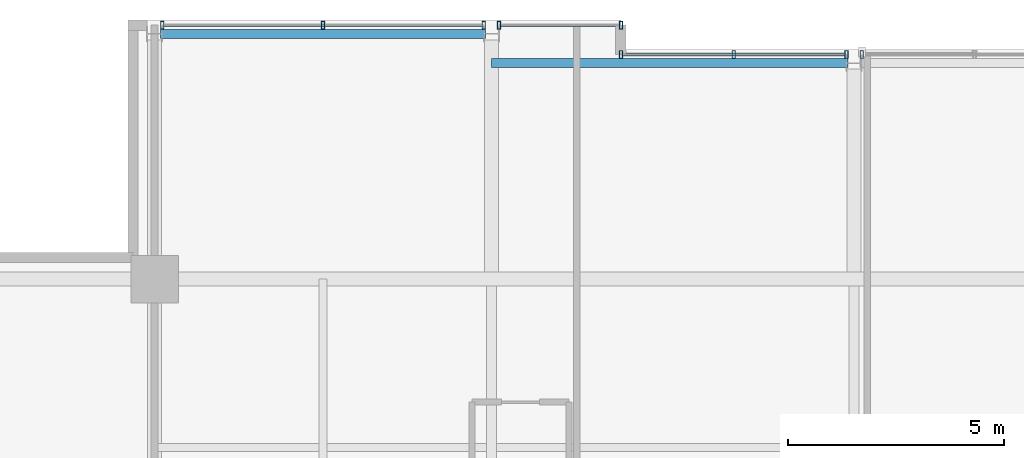
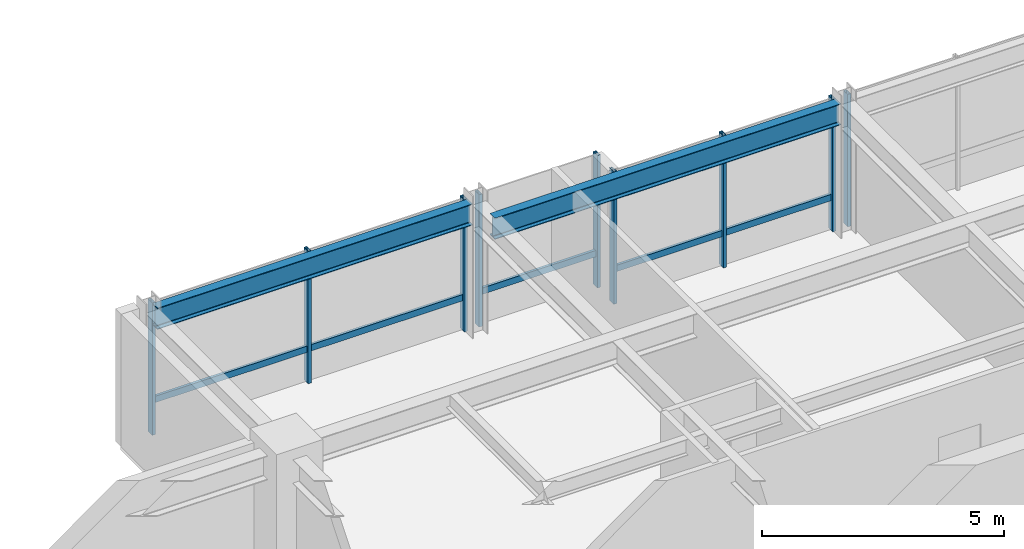
# One storey, part 21 of 33: 12 members, 2 beams, 4 elements without a shape of their own.
"""IFC4 building model written with IfcOpenShell, lengths in metres."""

from ifc_helpers import new_model, si_unit, direction, frame, origin, origin_2d, place, context, subcontext, project, spatial, hollow_rectangle, i_section, extrude, material, layer, layer_set, material_profile, profile_set, type_object, element, aggregate, save


model = new_model("IFC4")

# Units and contexts
model_context = context("Model", 3, precision=1e-05, world=origin(), true_north=direction((0.0, 1.0)))
body_context = subcontext(model_context, "Body", "Model", "MODEL_VIEW")
ifc_project = project(units=[si_unit("LENGTHUNIT", "METRE"), si_unit("AREAUNIT", "SQUARE_METRE"), si_unit("VOLUMEUNIT", "CUBIC_METRE"), si_unit("PLANEANGLEUNIT", "RADIAN"), si_unit("MASSUNIT", "GRAM", prefix="KILO")], contexts=[model_context])

# Site, building, storey
site_placement = place(None, origin())
site = spatial("IfcSite", under=ifc_project, at=site_placement, CompositionType="ELEMENT")
building_placement = place(site_placement, origin())
building = spatial("IfcBuilding", under=site, at=building_placement, Name="Drelvath Grand Hotel", CompositionType="ELEMENT")
storey_placement = place(building_placement, frame((0.0, 0.0, 248.300048828125)))
storey = spatial("IfcBuildingStorey", under=building, at=storey_placement, Name="L65", CompositionType="ELEMENT", Elevation=248.300048828125)

# Curtain wall, member
ifc_material_1 = material(Name="Platinum-Mist Anodised Aluminium Frame", Category="aluminium")
ifc_layer = layer(ifc_material_1, 0.199951171875)
ifc_layer_set = layer_set([ifc_layer], Name="Platinum-Mist Anodised Aluminium Frame")
curtain_wall_type = type_object("IfcCurtainWallType", Name="Stick Curtain Wall CW-05 Platinum Mist High-Rise", PredefinedType="NOTDEFINED", material=ifc_layer_set)
curtain_wall_1_placement = place(storey_placement, origin())
curtain_wall_1 = element("IfcCurtainWall", 1, at=curtain_wall_1_placement, inside=storey, type_object=curtain_wall_type, Name="L65 CW-05 Curtain Wall CW05-L65-NW2", PredefinedType="NOTDEFINED")
ifc_material_profile_1 = material_profile(ifc_material_1, hollow_rectangle(XDim=0.06494140625, YDim=0.159912109375, WallThickness=0.00390625, at=origin_2d()), Name="HSS160X65X4")
ifc_profile_set_1 = profile_set([ifc_material_profile_1], Name="Platinum-Mist Anodised Aluminium Frame")
member_type_1 = type_object("IfcMemberType", Name="Curtain Wall Horizontal Transom CW-05 HSS160X65X4", PredefinedType="USERDEFINED", material=ifc_profile_set_1)
member_1_placement = place(storey_placement, frame((-15.981689453125, 49.080078125, 0.8349609375), z_axis=(1.0, 0.0, 0.0), x_axis=(0.0, 1.0, 0.0)))
member_1 = element("IfcMember", 2, at=member_1_placement, type_object=member_type_1, Name="CW05-L65-NW2 Sill Transom", ObjectType="TRANSOM", PredefinedType="USERDEFINED", context=body_context, shape_type="SweptSolid", body=[
    extrude(hollow_rectangle(XDim=0.06494140625, YDim=0.159912109375, WallThickness=0.00390625, at=origin_2d()), origin(), (0.0, 0.0, 1.0), 7.363525390625),
])

curtain_wall_2_placement = place(storey_placement, origin())
curtain_wall_2 = element("IfcCurtainWall", 3, at=curtain_wall_2_placement, inside=storey, type_object=curtain_wall_type, Name="L65 CW-05 Curtain Wall CW05-L65-NW3", PredefinedType="NOTDEFINED")
member_2_placement = place(storey_placement, frame((-8.181884765625, 49.080078125, 0.8349609375), z_axis=(1.0, 0.0, 0.0), x_axis=(0.0, 1.0, 0.0)))
member_2 = element("IfcMember", 4, at=member_2_placement, type_object=member_type_1, Name="CW05-L65-NW3 Sill Transom", ObjectType="TRANSOM", PredefinedType="USERDEFINED", context=body_context, shape_type="SweptSolid", body=[
    extrude(hollow_rectangle(XDim=0.06494140625, YDim=0.159912109375, WallThickness=0.00390625, at=origin_2d()), origin(), (0.0, 0.0, 1.0), 2.741943359375),
])

curtain_wall_3_placement = place(storey_placement, origin())
curtain_wall_3 = element("IfcCurtainWall", 5, at=curtain_wall_3_placement, inside=storey, type_object=curtain_wall_type, Name="L65 CW-05 Curtain Wall CW05-L65-NM1", PredefinedType="NOTDEFINED")
member_3_placement = place(storey_placement, frame((-5.360107421875, 48.39990234375, 0.8349609375), z_axis=(1.0, 0.0, 0.0), x_axis=(0.0, 1.0, 0.0)))
member_3 = element("IfcMember", 6, at=member_3_placement, type_object=member_type_1, Name="CW05-L65-NM1 Sill Transom", ObjectType="TRANSOM", PredefinedType="USERDEFINED", context=body_context, shape_type="SweptSolid", body=[
    extrude(hollow_rectangle(XDim=0.06494140625, YDim=0.159912109375, WallThickness=0.00390625, at=origin_2d()), origin(), (0.0, 0.0, 1.0), 5.141845703125),
])

# Member
ifc_material_profile_2 = material_profile(ifc_material_1, hollow_rectangle(XDim=0.074951171875, YDim=0.179931640625, WallThickness=0.0048828125, at=origin_2d()), Name="HSS180X75X5")
ifc_profile_set_2 = profile_set([ifc_material_profile_2], Name="Platinum-Mist Anodised Aluminium Frame")
member_type_2 = type_object("IfcMemberType", Name="Curtain Wall Vertical Mullion CW-05 HSS180X75X5", PredefinedType="MULLION", material=ifc_profile_set_2)
member_4_placement = place(storey_placement, frame((-16.021728515625, 49.080078125, 0.0), z_axis=(0.0, 0.0, 1.0), x_axis=(1.0, 0.0, 0.0)))
member_4 = element("IfcMember", 7, at=member_4_placement, type_object=member_type_2, Name="CW05-L65-NW2 Mullion 1", PredefinedType="MULLION", context=body_context, shape_type="SweptSolid", body=[
    extrude(hollow_rectangle(XDim=0.074951171875, YDim=0.179931640625, WallThickness=0.0048828125, at=origin_2d()), origin(), (0.0, 0.0, 1.0), 3.33984375),
])

member_5_placement = place(storey_placement, frame((-12.300048828125, 49.080078125, 0.0), z_axis=(0.0, 0.0, 1.0), x_axis=(1.0, 0.0, 0.0)))
member_5 = element("IfcMember", 8, at=member_5_placement, type_object=member_type_2, Name="CW05-L65-NW2 Mullion 2", PredefinedType="MULLION", context=body_context, shape_type="SweptSolid", body=[
    extrude(hollow_rectangle(XDim=0.074951171875, YDim=0.179931640625, WallThickness=0.0048828125, at=origin_2d()), origin(), (0.0, 0.0, 1.0), 3.33984375),
])

member_6_placement = place(storey_placement, frame((-8.578125, 49.080078125, 0.0), z_axis=(0.0, 0.0, 1.0), x_axis=(1.0, 0.0, 0.0)))
member_6 = element("IfcMember", 9, at=member_6_placement, type_object=member_type_2, Name="CW05-L65-NW2 Mullion 3", PredefinedType="MULLION", context=body_context, shape_type="SweptSolid", body=[
    extrude(hollow_rectangle(XDim=0.074951171875, YDim=0.179931640625, WallThickness=0.0048828125, at=origin_2d()), origin(), (0.0, 0.0, 1.0), 3.33984375),
])

aggregate(curtain_wall_1, [member_4, member_5, member_6, member_1])

member_7_placement = place(storey_placement, frame((-8.2216796875, 49.080078125, 0.0), z_axis=(0.0, 0.0, 1.0), x_axis=(1.0, 0.0, 0.0)))
member_7 = element("IfcMember", 10, at=member_7_placement, type_object=member_type_2, Name="CW05-L65-NW3 Mullion 1", PredefinedType="MULLION", context=body_context, shape_type="SweptSolid", body=[
    extrude(hollow_rectangle(XDim=0.074951171875, YDim=0.179931640625, WallThickness=0.0048828125, at=origin_2d()), origin(), (0.0, 0.0, 1.0), 3.33984375),
])

member_8_placement = place(storey_placement, frame((-5.39990234375, 49.080078125, 0.0), z_axis=(0.0, 0.0, 1.0), x_axis=(1.0, 0.0, 0.0)))
member_8 = element("IfcMember", 11, at=member_8_placement, type_object=member_type_2, Name="CW05-L65-NW3 Mullion 2", PredefinedType="MULLION", context=body_context, shape_type="SweptSolid", body=[
    extrude(hollow_rectangle(XDim=0.074951171875, YDim=0.179931640625, WallThickness=0.0048828125, at=origin_2d()), origin(), (0.0, 0.0, 1.0), 3.33984375),
])

aggregate(curtain_wall_2, [member_7, member_8, member_2])

member_9_placement = place(storey_placement, frame((-5.39990234375, 48.39990234375, 0.0), z_axis=(0.0, 0.0, 1.0), x_axis=(1.0, 0.0, 0.0)))
member_9 = element("IfcMember", 12, at=member_9_placement, type_object=member_type_2, Name="CW05-L65-NM1 Mullion 1", PredefinedType="MULLION", context=body_context, shape_type="SweptSolid", body=[
    extrude(hollow_rectangle(XDim=0.074951171875, YDim=0.179931640625, WallThickness=0.0048828125, at=origin_2d()), origin(), (0.0, 0.0, 1.0), 3.33984375),
])

member_10_placement = place(storey_placement, frame((-2.7890625, 48.39990234375, 0.0), z_axis=(0.0, 0.0, 1.0), x_axis=(1.0, 0.0, 0.0)))
member_10 = element("IfcMember", 13, at=member_10_placement, type_object=member_type_2, Name="CW05-L65-NM1 Mullion 2", PredefinedType="MULLION", context=body_context, shape_type="SweptSolid", body=[
    extrude(hollow_rectangle(XDim=0.074951171875, YDim=0.179931640625, WallThickness=0.0048828125, at=origin_2d()), origin(), (0.0, 0.0, 1.0), 3.33984375),
])

member_11_placement = place(storey_placement, frame((-0.17822265625, 48.39990234375, 0.0), z_axis=(0.0, 0.0, 1.0), x_axis=(1.0, 0.0, 0.0)))
member_11 = element("IfcMember", 14, at=member_11_placement, type_object=member_type_2, Name="CW05-L65-NM1 Mullion 3", PredefinedType="MULLION", context=body_context, shape_type="SweptSolid", body=[
    extrude(hollow_rectangle(XDim=0.074951171875, YDim=0.179931640625, WallThickness=0.0048828125, at=origin_2d()), origin(), (0.0, 0.0, 1.0), 3.33984375),
])

aggregate(curtain_wall_3, [member_9, member_10, member_11, member_3])

# Curtain wall, member
curtain_wall_4_placement = place(storey_placement, origin())
curtain_wall_4 = element("IfcCurtainWall", 15, at=curtain_wall_4_placement, inside=storey, type_object=curtain_wall_type, Name="L65 CW-05 Curtain Wall CW05-L65-NM2", PredefinedType="NOTDEFINED")
member_12_placement = place(storey_placement, frame((0.17822265625, 48.39990234375, 0.0), z_axis=(0.0, 0.0, 1.0), x_axis=(1.0, 0.0, 0.0)))
member_12 = element("IfcMember", 16, at=member_12_placement, type_object=member_type_2, Name="CW05-L65-NM2 Mullion 1", PredefinedType="MULLION", context=body_context, shape_type="SweptSolid", body=[
    extrude(hollow_rectangle(XDim=0.074951171875, YDim=0.179931640625, WallThickness=0.0048828125, at=origin_2d()), origin(), (0.0, 0.0, 1.0), 3.33984375),
])
aggregate(curtain_wall_4, [member_12])

# Beams
ifc_material_2 = material(Name="Steel ASTM A992 Gr 50", Category="steel")
ifc_material_profile_3 = material_profile(ifc_material_2, i_section(OverallWidth=0.210205078125, OverallDepth=0.53662109375, WebThickness=0.010986328125, FlangeThickness=0.017333984375, FilletRadius=0.01806640625, at=origin_2d()), Name="W21X68")
ifc_profile_set_3 = profile_set([ifc_material_profile_3], Name="Steel ASTM A992 Gr 50")
beam_type = type_object("IfcBeamType", Name="Perimeter Spandrel Beam W21X68", PredefinedType="SPANDREL", material=ifc_profile_set_3)
beam_1_placement = place(storey_placement, frame((-16.06005859375, 48.8798828125, 3.071533203125), z_axis=(1.0, 0.0, 0.0), x_axis=(0.0, 1.0, 0.0)))
element("IfcBeam", 17, at=beam_1_placement, inside=storey, type_object=beam_type, Name="L65 Spandrel North W", PredefinedType="SPANDREL", context=body_context, shape_type="SweptSolid", body=[
    extrude(i_section(OverallWidth=0.210205078125, OverallDepth=0.53662109375, WebThickness=0.010986328125, FlangeThickness=0.017333984375, FilletRadius=0.01806640625, at=origin_2d()), origin(), (0.0, 0.0, 1.0), 7.52001953125),
])
beam_2_placement = place(storey_placement, frame((-8.39990234375, 48.199951171875, 3.071533203125), z_axis=(1.0, 0.0, 0.0), x_axis=(0.0, 1.0, 0.0)))
element("IfcBeam", 18, at=beam_2_placement, inside=storey, type_object=beam_type, Name="L65 Spandrel North Mid W", PredefinedType="SPANDREL", context=body_context, shape_type="SweptSolid", body=[
    extrude(i_section(OverallWidth=0.210205078125, OverallDepth=0.53662109375, WebThickness=0.010986328125, FlangeThickness=0.017333984375, FilletRadius=0.01806640625, at=origin_2d()), origin(), (0.0, 0.0, 1.0), 8.260009765625),
])

save(model, "model.ifc")
